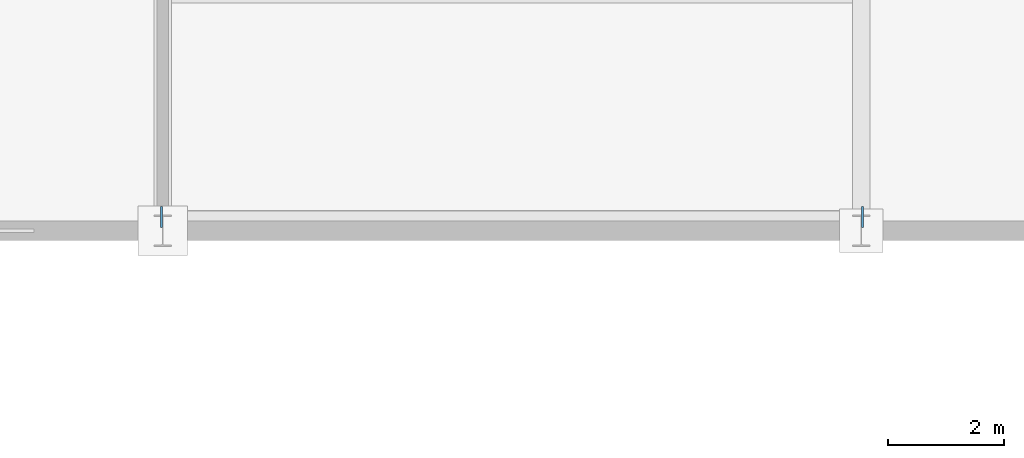
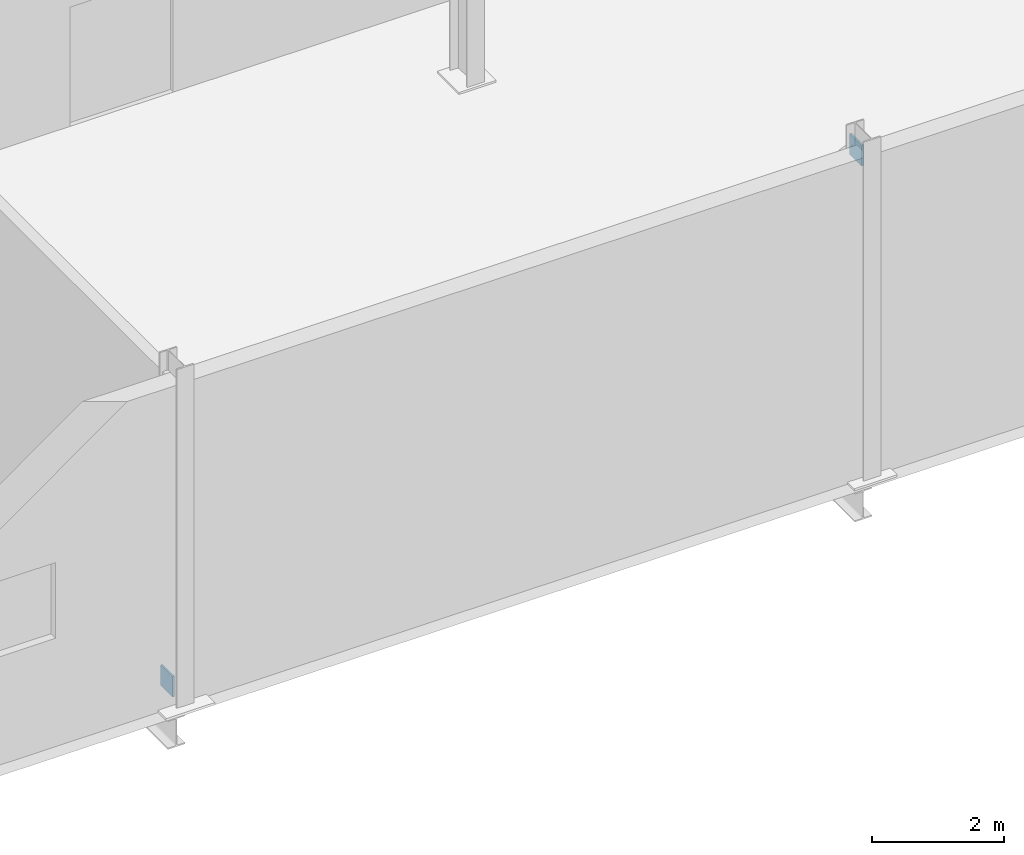
# One storey, part 164 of 196: 2 plates.
"""IFC4 building model written with IfcOpenShell, lengths in metres."""

from ifc_helpers import new_model, si_unit, direction, frame, origin, origin_2d, place, context, subcontext, project, spatial, rectangle, extrude, material, layer, layer_set, type_object, element, save


model = new_model("IFC4")

# Units and contexts
model_context = context("Model", 3, precision=1e-05, world=origin(), true_north=direction((0.0, 1.0)))
body_context = subcontext(model_context, "Body", "Model", "MODEL_VIEW")
ifc_project = project(units=[si_unit("LENGTHUNIT", "METRE"), si_unit("AREAUNIT", "SQUARE_METRE"), si_unit("VOLUMEUNIT", "CUBIC_METRE"), si_unit("PLANEANGLEUNIT", "RADIAN"), si_unit("MASSUNIT", "GRAM", prefix="KILO")], contexts=[model_context])

# Site, building, storey
site_placement = place(None, origin())
site = spatial("IfcSite", under=ifc_project, at=site_placement, CompositionType="ELEMENT")
building_placement = place(site_placement, origin())
building = spatial("IfcBuilding", under=site, at=building_placement, Name="Merenkruunu Market Hall", CompositionType="ELEMENT")
storey_placement = place(building_placement, origin())
storey = spatial("IfcBuildingStorey", under=building, at=storey_placement, Name="L00", CompositionType="ELEMENT", Elevation=0.0)

# Plates
ifc_material = material(Name="Steel S355ML", Category="steel")
ifc_layer = layer(ifc_material, 0.035888671875)
ifc_layer_set = layer_set([ifc_layer], Name="Steel S355ML")
plate_type = type_object("IfcPlateType", Name="Truss Gusset Or Cap Plate CP08", PredefinedType="USERDEFINED", material=ifc_layer_set)
for number, where, z_axis, x_axis, name in (
    (1, (112.781982421875, 87.840087890625, 0.010009765625), (0.0, 0.0, 1.0), (1.0, 0.0, 0.0), "PLT-CBF09-A"),
    (2, (124.818115234375, 87.840087890625, 5.610107421875), (0.0, 0.0, 1.0), (1.0, 0.0, 0.0), "PLT-CBF09-B"),
):
    element("IfcPlate", number, at=place(storey_placement, frame(where, z_axis=z_axis, x_axis=x_axis)), inside=storey, type_object=plate_type, Name=name, ObjectType="GUSSET_PLATE", PredefinedType="USERDEFINED", context=body_context, shape_type="SweptSolid", body=[
        extrude(rectangle(XDim=0.035888671875, YDim=0.360107421875, at=origin_2d()), origin(), (0.0, 0.0, 1.0), 0.3798828125),
    ])

save(model, "model.ifc")
